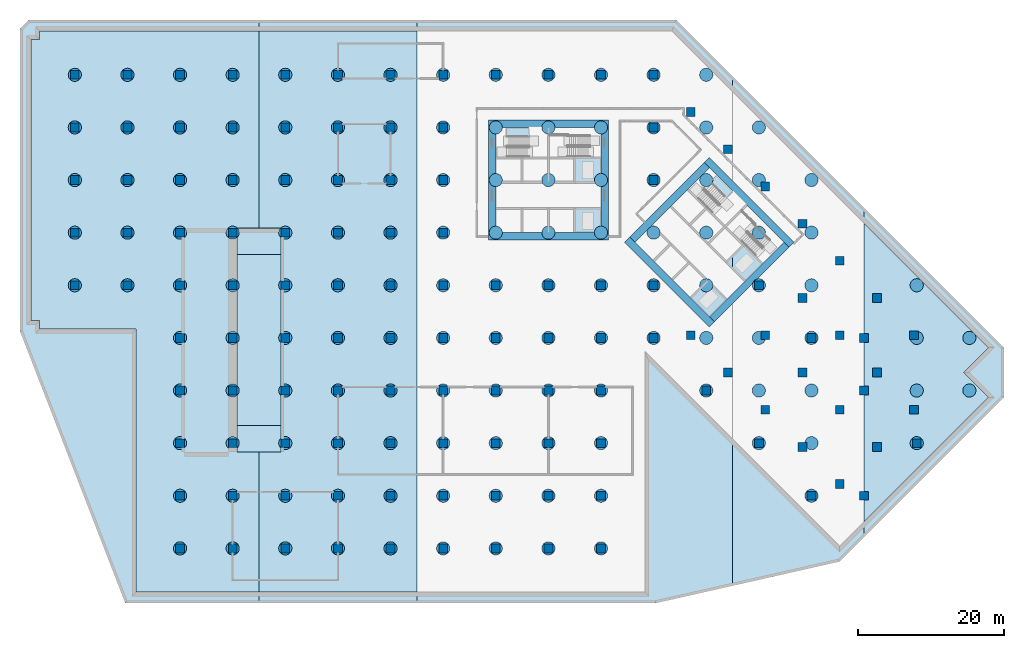
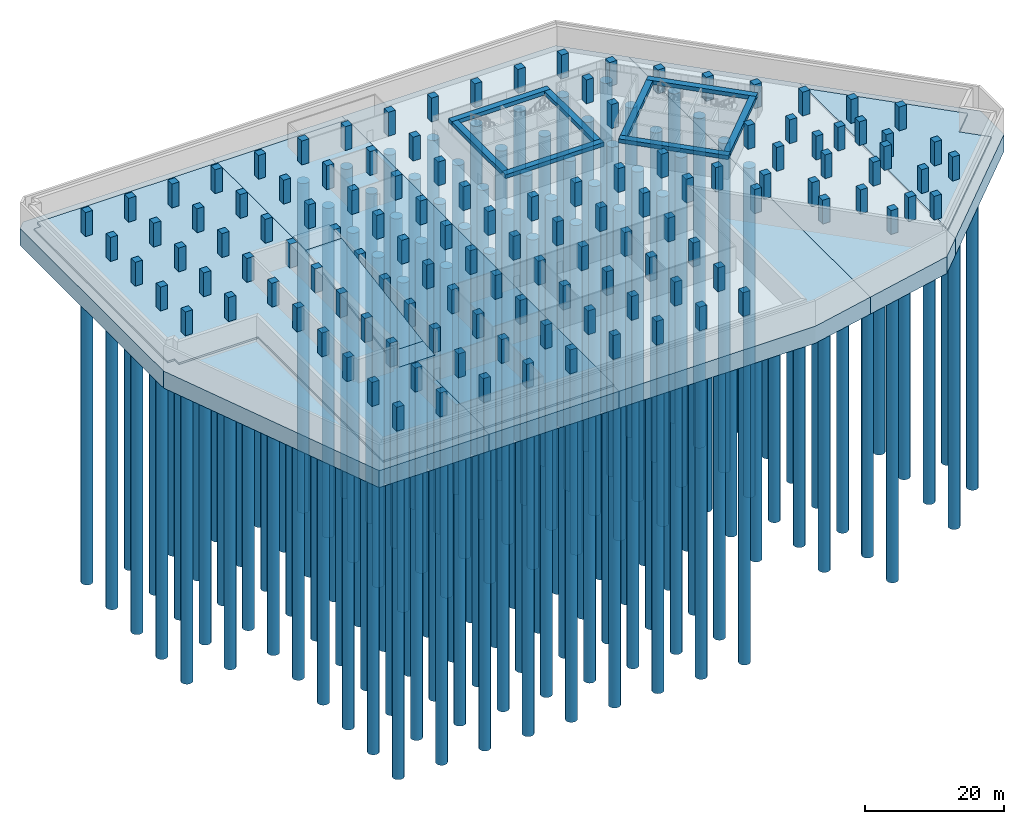
# One storey, part 1 of 12: 133 piles, 125 columns, 8 beams, 6 slabs, 5 footings.
"""IFC4 building model written with IfcOpenShell, lengths in metres."""

from ifc_helpers import new_model, si_unit, direction, frame, origin, origin_2d, place, context, subcontext, project, spatial, polyline, rectangle, circle, outline, extrude, material, layer, layer_set, material_profile, profile_set, type_object, element, save


model = new_model("IFC4")

# Units and contexts
model_context = context("Model", 3, precision=1e-05, world=origin(), true_north=direction((0.0, 1.0)))
body_context = subcontext(model_context, "Body", "Model", "MODEL_VIEW")
ifc_project = project(units=[si_unit("LENGTHUNIT", "METRE"), si_unit("AREAUNIT", "SQUARE_METRE"), si_unit("VOLUMEUNIT", "CUBIC_METRE"), si_unit("PLANEANGLEUNIT", "RADIAN"), si_unit("MASSUNIT", "GRAM", prefix="KILO")], contexts=[model_context])

# Site, building, storey
site_placement = place(None, origin())
site = spatial("IfcSite", under=ifc_project, at=site_placement, CompositionType="ELEMENT")
building_placement = place(site_placement, origin())
building = spatial("IfcBuilding", under=site, at=building_placement, Name="Windrow Commons", CompositionType="ELEMENT")
storey_placement = place(building_placement, frame((0.0, 0.0, -9.0)))
storey = spatial("IfcBuildingStorey", under=building, at=storey_placement, Name="B2", CompositionType="ELEMENT", Elevation=-9.0)

# Piles
ifc_material_1 = material(Name="Concrete C35/45", Category="concrete")
ifc_material_profile_1 = material_profile(ifc_material_1, circle(Radius=0.9, at=origin_2d()))
ifc_profile_set_1 = profile_set([ifc_material_profile_1], Name="Concrete C35/45")
pile_type = type_object("IfcPileType", Name="BORED PILE 1800 C35/45", PredefinedType="BORED", material=ifc_profile_set_1)
for number, where, z_axis, x_axis, name in (
    (1, (14.4, 7.2, -3.225), (0.0, 0.0, -1.0), (1.0, 0.0, 0.0), "P-001"),
    (2, (21.6, 7.2, -3.225), (0.0, 0.0, -1.0), (1.0, 0.0, 0.0), "P-002"),
    (3, (14.4, 14.4, -3.225), (0.0, 0.0, -1.0), (1.0, 0.0, 0.0), "P-003"),
    (4, (21.6, 14.4, -3.225), (0.0, 0.0, -1.0), (1.0, 0.0, 0.0), "P-004"),
    (5, (14.4, 21.6, -3.225), (0.0, 0.0, -1.0), (1.0, 0.0, 0.0), "P-005"),
    (6, (21.6, 21.6, -3.225), (0.0, 0.0, -1.0), (1.0, 0.0, 0.0), "P-006"),
    (7, (14.4, 28.8, -3.225), (0.0, 0.0, -1.0), (1.0, 0.0, 0.0), "P-007"),
    (8, (21.6, 28.8, -3.225), (0.0, 0.0, -1.0), (1.0, 0.0, 0.0), "P-008"),
    (9, (14.4, 36.0, -3.225), (0.0, 0.0, -1.0), (1.0, 0.0, 0.0), "P-009"),
    (10, (21.6, 36.0, -3.225), (0.0, 0.0, -1.0), (1.0, 0.0, 0.0), "P-010"),
    (11, (0.0, 43.2, -3.225), (0.0, 0.0, -1.0), (1.0, 0.0, 0.0), "P-011"),
    (12, (7.2, 43.2, -3.225), (0.0, 0.0, -1.0), (1.0, 0.0, 0.0), "P-012"),
    (13, (14.4, 43.2, -3.225), (0.0, 0.0, -1.0), (1.0, 0.0, 0.0), "P-013"),
    (14, (21.6, 43.2, -3.225), (0.0, 0.0, -1.0), (1.0, 0.0, 0.0), "P-014"),
    (15, (0.0, 50.4, -3.225), (0.0, 0.0, -1.0), (1.0, 0.0, 0.0), "P-015"),
    (16, (7.2, 50.4, -3.225), (0.0, 0.0, -1.0), (1.0, 0.0, 0.0), "P-016"),
    (17, (14.4, 50.4, -3.225), (0.0, 0.0, -1.0), (1.0, 0.0, 0.0), "P-017"),
    (18, (21.6, 50.4, -3.225), (0.0, 0.0, -1.0), (1.0, 0.0, 0.0), "P-018"),
    (19, (0.0, 57.6, -3.225), (0.0, 0.0, -1.0), (1.0, 0.0, 0.0), "P-019"),
    (20, (7.2, 57.6, -3.225), (0.0, 0.0, -1.0), (1.0, 0.0, 0.0), "P-020"),
    (21, (14.4, 57.6, -3.225), (0.0, 0.0, -1.0), (1.0, 0.0, 0.0), "P-021"),
    (22, (21.6, 57.6, -3.225), (0.0, 0.0, -1.0), (1.0, 0.0, 0.0), "P-022"),
    (23, (0.0, 64.8, -3.225), (0.0, 0.0, -1.0), (1.0, 0.0, 0.0), "P-023"),
    (24, (7.2, 64.8, -3.225), (0.0, 0.0, -1.0), (1.0, 0.0, 0.0), "P-024"),
    (25, (14.4, 64.8, -3.225), (0.0, 0.0, -1.0), (1.0, 0.0, 0.0), "P-025"),
    (26, (21.6, 64.8, -3.225), (0.0, 0.0, -1.0), (1.0, 0.0, 0.0), "P-026"),
    (27, (0.0, 72.0, -3.225), (0.0, 0.0, -1.0), (1.0, 0.0, 0.0), "P-027"),
    (28, (7.2, 72.0, -3.225), (0.0, 0.0, -1.0), (1.0, 0.0, 0.0), "P-028"),
    (29, (14.4, 72.0, -3.225), (0.0, 0.0, -1.0), (1.0, 0.0, 0.0), "P-029"),
    (30, (21.6, 72.0, -3.225), (0.0, 0.0, -1.0), (1.0, 0.0, 0.0), "P-030"),
    (31, (28.8, 7.2, -3.225), (0.0, 0.0, -1.0), (1.0, 0.0, 0.0), "P-031"),
    (32, (36.0, 7.2, -3.225), (0.0, 0.0, -1.0), (1.0, 0.0, 0.0), "P-032"),
    (33, (43.2, 7.2, -3.225), (0.0, 0.0, -1.0), (1.0, 0.0, 0.0), "P-033"),
    (34, (28.8, 14.4, -3.225), (0.0, 0.0, -1.0), (1.0, 0.0, 0.0), "P-034"),
    (35, (36.0, 14.4, -3.225), (0.0, 0.0, -1.0), (1.0, 0.0, 0.0), "P-035"),
    (36, (43.2, 14.4, -3.225), (0.0, 0.0, -1.0), (1.0, 0.0, 0.0), "P-036"),
    (37, (28.8, 21.6, -3.225), (0.0, 0.0, -1.0), (1.0, 0.0, 0.0), "P-037"),
    (38, (36.0, 21.6, -3.225), (0.0, 0.0, -1.0), (1.0, 0.0, 0.0), "P-038"),
    (39, (43.2, 21.6, -3.225), (0.0, 0.0, -1.0), (1.0, 0.0, 0.0), "P-039"),
    (40, (28.8, 28.8, -3.225), (0.0, 0.0, -1.0), (1.0, 0.0, 0.0), "P-040"),
    (41, (36.0, 28.8, -3.225), (0.0, 0.0, -1.0), (1.0, 0.0, 0.0), "P-041"),
    (42, (43.2, 28.8, -3.225), (0.0, 0.0, -1.0), (1.0, 0.0, 0.0), "P-042"),
    (43, (28.8, 36.0, -3.225), (0.0, 0.0, -1.0), (1.0, 0.0, 0.0), "P-043"),
    (44, (36.0, 36.0, -3.225), (0.0, 0.0, -1.0), (1.0, 0.0, 0.0), "P-044"),
    (45, (43.2, 36.0, -3.225), (0.0, 0.0, -1.0), (1.0, 0.0, 0.0), "P-045"),
    (46, (28.8, 43.2, -3.225), (0.0, 0.0, -1.0), (1.0, 0.0, 0.0), "P-046"),
    (47, (36.0, 43.2, -3.225), (0.0, 0.0, -1.0), (1.0, 0.0, 0.0), "P-047"),
    (48, (43.2, 43.2, -3.225), (0.0, 0.0, -1.0), (1.0, 0.0, 0.0), "P-048"),
    (49, (28.8, 50.4, -3.225), (0.0, 0.0, -1.0), (1.0, 0.0, 0.0), "P-049"),
    (50, (36.0, 50.4, -3.225), (0.0, 0.0, -1.0), (1.0, 0.0, 0.0), "P-050"),
    (51, (43.2, 50.4, -3.225), (0.0, 0.0, -1.0), (1.0, 0.0, 0.0), "P-051"),
    (52, (28.8, 57.6, -3.225), (0.0, 0.0, -1.0), (1.0, 0.0, 0.0), "P-052"),
    (53, (36.0, 57.6, -3.225), (0.0, 0.0, -1.0), (1.0, 0.0, 0.0), "P-053"),
    (54, (43.2, 57.6, -3.225), (0.0, 0.0, -1.0), (1.0, 0.0, 0.0), "P-054"),
    (55, (28.8, 64.8, -3.225), (0.0, 0.0, -1.0), (1.0, 0.0, 0.0), "P-055"),
    (56, (36.0, 64.8, -3.225), (0.0, 0.0, -1.0), (1.0, 0.0, 0.0), "P-056"),
    (57, (43.2, 64.8, -3.225), (0.0, 0.0, -1.0), (1.0, 0.0, 0.0), "P-057"),
    (58, (28.8, 72.0, -3.225), (0.0, 0.0, -1.0), (1.0, 0.0, 0.0), "P-058"),
    (59, (36.0, 72.0, -3.225), (0.0, 0.0, -1.0), (1.0, 0.0, 0.0), "P-059"),
    (60, (43.2, 72.0, -3.225), (0.0, 0.0, -1.0), (1.0, 0.0, 0.0), "P-060"),
    (61, (50.4, 7.2, -3.225), (0.0, 0.0, -1.0), (1.0, 0.0, 0.0), "P-061"),
    (62, (57.6, 7.2, -3.225), (0.0, 0.0, -1.0), (1.0, 0.0, 0.0), "P-062"),
    (63, (64.8, 7.2, -3.225), (0.0, 0.0, -1.0), (1.0, 0.0, 0.0), "P-063"),
    (64, (72.0, 7.2, -3.225), (0.0, 0.0, -1.0), (1.0, 0.0, 0.0), "P-064"),
    (65, (50.4, 14.4, -3.225), (0.0, 0.0, -1.0), (1.0, 0.0, 0.0), "P-065"),
    (66, (57.6, 14.4, -3.225), (0.0, 0.0, -1.0), (1.0, 0.0, 0.0), "P-066"),
    (67, (64.8, 14.4, -3.225), (0.0, 0.0, -1.0), (1.0, 0.0, 0.0), "P-067"),
    (68, (72.0, 14.4, -3.225), (0.0, 0.0, -1.0), (1.0, 0.0, 0.0), "P-068"),
    (69, (50.4, 21.6, -3.225), (0.0, 0.0, -1.0), (1.0, 0.0, 0.0), "P-069"),
    (70, (57.6, 21.6, -3.225), (0.0, 0.0, -1.0), (1.0, 0.0, 0.0), "P-070"),
    (71, (64.8, 21.6, -3.225), (0.0, 0.0, -1.0), (1.0, 0.0, 0.0), "P-071"),
    (72, (72.0, 21.6, -3.225), (0.0, 0.0, -1.0), (1.0, 0.0, 0.0), "P-072"),
    (73, (50.4, 28.8, -3.225), (0.0, 0.0, -1.0), (1.0, 0.0, 0.0), "P-073"),
    (74, (57.6, 28.8, -3.225), (0.0, 0.0, -1.0), (1.0, 0.0, 0.0), "P-074"),
    (75, (64.8, 28.8, -3.225), (0.0, 0.0, -1.0), (1.0, 0.0, 0.0), "P-075"),
    (76, (72.0, 28.8, -3.225), (0.0, 0.0, -1.0), (1.0, 0.0, 0.0), "P-076"),
    (77, (86.4, 28.8, -3.225), (0.0, 0.0, -1.0), (1.0, 0.0, 0.0), "P-077"),
    (78, (50.4, 36.0, -3.225), (0.0, 0.0, -1.0), (1.0, 0.0, 0.0), "P-078"),
    (79, (57.6, 36.0, -3.225), (0.0, 0.0, -1.0), (1.0, 0.0, 0.0), "P-079"),
    (80, (64.8, 36.0, -3.225), (0.0, 0.0, -1.0), (1.0, 0.0, 0.0), "P-080"),
    (81, (72.0, 36.0, -3.225), (0.0, 0.0, -1.0), (1.0, 0.0, 0.0), "P-081"),
    (82, (79.2, 36.0, -3.225), (0.0, 0.0, -1.0), (1.0, 0.0, 0.0), "P-082"),
    (83, (86.4, 36.0, -3.225), (0.0, 0.0, -1.0), (1.0, 0.0, 0.0), "P-083"),
    (84, (50.4, 43.2, -3.225), (0.0, 0.0, -1.0), (1.0, 0.0, 0.0), "P-084"),
    (85, (57.6, 43.2, -3.225), (0.0, 0.0, -1.0), (1.0, 0.0, 0.0), "P-085"),
    (86, (64.8, 43.2, -3.225), (0.0, 0.0, -1.0), (1.0, 0.0, 0.0), "P-086"),
    (87, (72.0, 43.2, -3.225), (0.0, 0.0, -1.0), (1.0, 0.0, 0.0), "P-087"),
    (88, (79.2, 43.2, -3.225), (0.0, 0.0, -1.0), (1.0, 0.0, 0.0), "P-088"),
    (89, (86.4, 43.2, -3.225), (0.0, 0.0, -1.0), (1.0, 0.0, 0.0), "P-089"),
    (90, (50.4, 50.4, -3.225), (0.0, 0.0, -1.0), (1.0, 0.0, 0.0), "P-090"),
    (91, (57.6, 50.4, -3.225), (0.0, 0.0, -1.0), (1.0, 0.0, 0.0), "P-091"),
    (92, (64.8, 50.4, -3.225), (0.0, 0.0, -1.0), (1.0, 0.0, 0.0), "P-092"),
    (93, (72.0, 50.4, -3.225), (0.0, 0.0, -1.0), (1.0, 0.0, 0.0), "P-093"),
    (94, (79.2, 50.4, -3.225), (0.0, 0.0, -1.0), (1.0, 0.0, 0.0), "P-094"),
    (95, (86.4, 50.4, -3.225), (0.0, 0.0, -1.0), (1.0, 0.0, 0.0), "P-095"),
    (96, (50.4, 57.6, -3.225), (0.0, 0.0, -1.0), (1.0, 0.0, 0.0), "P-096"),
    (97, (57.6, 57.6, -3.225), (0.0, 0.0, -1.0), (1.0, 0.0, 0.0), "P-097"),
    (98, (64.8, 57.6, -3.225), (0.0, 0.0, -1.0), (1.0, 0.0, 0.0), "P-098"),
    (99, (72.0, 57.6, -3.225), (0.0, 0.0, -1.0), (1.0, 0.0, 0.0), "P-099"),
    (100, (79.2, 57.6, -3.225), (0.0, 0.0, -1.0), (1.0, 0.0, 0.0), "P-100"),
    (101, (86.4, 57.6, -3.225), (0.0, 0.0, -1.0), (1.0, 0.0, 0.0), "P-101"),
    (102, (50.4, 64.8, -3.225), (0.0, 0.0, -1.0), (1.0, 0.0, 0.0), "P-102"),
    (103, (57.6, 64.8, -3.225), (0.0, 0.0, -1.0), (1.0, 0.0, 0.0), "P-103"),
    (104, (64.8, 64.8, -3.225), (0.0, 0.0, -1.0), (1.0, 0.0, 0.0), "P-104"),
    (105, (72.0, 64.8, -3.225), (0.0, 0.0, -1.0), (1.0, 0.0, 0.0), "P-105"),
    (106, (79.2, 64.8, -3.225), (0.0, 0.0, -1.0), (1.0, 0.0, 0.0), "P-106"),
    (107, (86.4, 64.8, -3.225), (0.0, 0.0, -1.0), (1.0, 0.0, 0.0), "P-107"),
    (108, (50.4, 72.0, -3.225), (0.0, 0.0, -1.0), (1.0, 0.0, 0.0), "P-108"),
    (109, (57.6, 72.0, -3.225), (0.0, 0.0, -1.0), (1.0, 0.0, 0.0), "P-109"),
    (110, (64.8, 72.0, -3.225), (0.0, 0.0, -1.0), (1.0, 0.0, 0.0), "P-110"),
    (111, (72.0, 72.0, -3.225), (0.0, 0.0, -1.0), (1.0, 0.0, 0.0), "P-111"),
    (112, (79.2, 72.0, -3.225), (0.0, 0.0, -1.0), (1.0, 0.0, 0.0), "P-112"),
    (113, (86.4, 72.0, -3.225), (0.0, 0.0, -1.0), (1.0, 0.0, 0.0), "P-113"),
    (114, (100.8, 14.4, -3.225), (0.0, 0.0, -1.0), (1.0, 0.0, 0.0), "P-114"),
    (115, (93.6, 21.6, -3.225), (0.0, 0.0, -1.0), (1.0, 0.0, 0.0), "P-115"),
    (116, (100.8, 21.6, -3.225), (0.0, 0.0, -1.0), (1.0, 0.0, 0.0), "P-116"),
    (117, (93.6, 28.8, -3.225), (0.0, 0.0, -1.0), (1.0, 0.0, 0.0), "P-117"),
    (118, (100.8, 28.8, -3.225), (0.0, 0.0, -1.0), (1.0, 0.0, 0.0), "P-118"),
    (119, (93.6, 36.0, -3.225), (0.0, 0.0, -1.0), (1.0, 0.0, 0.0), "P-119"),
    (120, (100.8, 36.0, -3.225), (0.0, 0.0, -1.0), (1.0, 0.0, 0.0), "P-120"),
    (121, (93.6, 43.2, -3.225), (0.0, 0.0, -1.0), (1.0, 0.0, 0.0), "P-121"),
    (122, (100.8, 43.2, -3.225), (0.0, 0.0, -1.0), (1.0, 0.0, 0.0), "P-122"),
    (123, (93.6, 50.4, -3.225), (0.0, 0.0, -1.0), (1.0, 0.0, 0.0), "P-123"),
    (124, (100.8, 50.4, -3.225), (0.0, 0.0, -1.0), (1.0, 0.0, 0.0), "P-124"),
    (125, (93.6, 57.6, -3.225), (0.0, 0.0, -1.0), (1.0, 0.0, 0.0), "P-125"),
    (126, (100.8, 57.6, -3.225), (0.0, 0.0, -1.0), (1.0, 0.0, 0.0), "P-126"),
    (127, (93.6, 64.8, -3.225), (0.0, 0.0, -1.0), (1.0, 0.0, 0.0), "P-127"),
    (128, (115.2, 21.6, -3.225), (0.0, 0.0, -1.0), (1.0, 0.0, 0.0), "P-128"),
    (129, (115.2, 28.8, -3.225), (0.0, 0.0, -1.0), (1.0, 0.0, 0.0), "P-129"),
    (130, (122.4, 28.8, -3.225), (0.0, 0.0, -1.0), (1.0, 0.0, 0.0), "P-130"),
    (131, (115.2, 36.0, -3.225), (0.0, 0.0, -1.0), (1.0, 0.0, 0.0), "P-131"),
    (132, (122.4, 36.0, -3.225), (0.0, 0.0, -1.0), (1.0, 0.0, 0.0), "P-132"),
    (133, (115.2, 43.2, -3.225), (0.0, 0.0, -1.0), (1.0, 0.0, 0.0), "P-133"),
):
    element("IfcPile", number, at=place(storey_placement, frame(where, z_axis=z_axis, x_axis=x_axis)), inside=storey, type_object=pile_type, Name=name, PredefinedType="BORED", context=body_context, shape_type="SweptSolid", body=[
        extrude(circle(Radius=0.9, at=origin_2d()), origin(), (0.0, 0.0, 1.0), 58.0),
    ])

# Footings
ifc_material_2 = material(Name="Concrete C40/50", Category="concrete")
ifc_layer_1 = layer(ifc_material_2, 3.0)
ifc_layer_set_1 = layer_set([ifc_layer_1], Name="RC PILED RAFT 3000 C40/50")
footing_type = type_object("IfcFootingType", Name="RC PILED RAFT 3000 C40/50", PredefinedType="PILE_CAP", material=ifc_layer_set_1)
placement_1 = place(storey_placement, frame((0.0, 0.0, -3.3)))
element("IfcFooting", 134, at=placement_1, inside=storey, type_object=footing_type, Name="Piled raft pour 1", PredefinedType="PILE_CAP", context=body_context, shape_type="SweptSolid", body=[
    extrude(outline(polyline([(6.9, -0.3), (-7.5, 36.9), (-7.5, 78.3), (-6.3, 79.5), (25.2, 79.5), (25.2, -0.3), (6.9, -0.3)])), origin(), (0.0, 0.0, 1.0), 3.0),
])
element("IfcFooting", 135, at=placement_1, inside=storey, type_object=footing_type, Name="Piled raft pour 2", PredefinedType="PILE_CAP", context=body_context, shape_type="SweptSolid", body=[
    extrude(outline(polyline([(46.8, 79.5), (46.8, -0.3), (25.2, -0.3), (25.2, 79.5), (46.8, 79.5)])), origin(), (0.0, 0.0, 1.0), 3.0),
])
element("IfcFooting", 136, at=placement_1, inside=storey, type_object=footing_type, Name="Piled raft pour 3", PredefinedType="PILE_CAP", context=body_context, shape_type="SweptSolid", body=[
    extrude(outline(polyline([(79.5, -0.3), (46.8, -0.3), (46.8, 79.5), (82.3066, 79.5), (90.0, 71.8066), (90.0, 2.0752), (79.5, -0.3)])), origin(), (0.0, 0.0, 1.0), 3.0),
])
element("IfcFooting", 137, at=placement_1, inside=storey, type_object=footing_type, Name="Piled raft pour 4", PredefinedType="PILE_CAP", context=body_context, shape_type="SweptSolid", body=[
    extrude(outline(polyline([(104.6558, 5.3905), (90.0, 2.0752), (90.0, 71.8066), (108.0, 53.8066), (108.0, 8.7347), (104.6558, 5.3905)])), origin(), (0.0, 0.0, 1.0), 3.0),
])
element("IfcFooting", 138, at=placement_1, inside=storey, type_object=footing_type, Name="Piled raft pour 5", PredefinedType="PILE_CAP", context=body_context, shape_type="SweptSolid", body=[
    extrude(outline(polyline([(127.1418, 34.6648), (127.1418, 27.8765), (108.0, 8.7347), (108.0, 53.8066), (127.1418, 34.6648)])), origin(), (0.0, 0.0, 1.0), 3.0),
])

# Columns
ifc_material_3 = material(Name="Concrete C60/75", Category="concrete")
ifc_material_profile_2 = material_profile(ifc_material_3, rectangle(XDim=1.2, YDim=1.2, at=origin_2d()))
ifc_profile_set_2 = profile_set([ifc_material_profile_2], Name="Concrete C60/75")
column_type = type_object("IfcColumnType", Name="RC COLUMN 1200x1200 C60/75", PredefinedType="COLUMN", material=ifc_profile_set_2)
for number, where, z_axis, x_axis, name in (
    (139, (0.0, 50.4, 0.0), (0.0, 0.0, 1.0), (1.0, 0.0, 0.0), "C-B-01G"),
    (140, (0.0, 57.6, 0.0), (0.0, 0.0, 1.0), (1.0, 0.0, 0.0), "C-B-01H"),
    (141, (0.0, 64.8, 0.0), (0.0, 0.0, 1.0), (1.0, 0.0, 0.0), "C-B-01I"),
    (142, (7.2, 43.2, 0.0), (0.0, 0.0, 1.0), (1.0, 0.0, 0.0), "C-B-02F"),
    (143, (7.2, 50.4, 0.0), (0.0, 0.0, 1.0), (1.0, 0.0, 0.0), "C-B-02G"),
    (144, (7.2, 57.6, 0.0), (0.0, 0.0, 1.0), (1.0, 0.0, 0.0), "C-B-02H"),
    (145, (7.2, 64.8, 0.0), (0.0, 0.0, 1.0), (1.0, 0.0, 0.0), "C-B-02I"),
    (146, (7.2, 72.0, 0.0), (0.0, 0.0, 1.0), (1.0, 0.0, 0.0), "C-B-02J"),
    (147, (14.4, 7.2, 0.0), (0.0, 0.0, 1.0), (1.0, 0.0, 0.0), "C-B-03A"),
    (148, (14.4, 14.4, 0.0), (0.0, 0.0, 1.0), (1.0, 0.0, 0.0), "C-B-03B"),
    (149, (14.4, 21.6, 0.0), (0.0, 0.0, 1.0), (1.0, 0.0, 0.0), "C-B-03C"),
    (150, (14.4, 28.8, 0.0), (0.0, 0.0, 1.0), (1.0, 0.0, 0.0), "C-B-03D"),
    (151, (14.4, 36.0, 0.0), (0.0, 0.0, 1.0), (1.0, 0.0, 0.0), "C-B-03E"),
    (152, (14.4, 43.2, 0.0), (0.0, 0.0, 1.0), (1.0, 0.0, 0.0), "C-B-03F"),
    (153, (14.4, 50.4, 0.0), (0.0, 0.0, 1.0), (1.0, 0.0, 0.0), "C-B-03G"),
    (154, (14.4, 57.6, 0.0), (0.0, 0.0, 1.0), (1.0, 0.0, 0.0), "C-B-03H"),
    (155, (14.4, 64.8, 0.0), (0.0, 0.0, 1.0), (1.0, 0.0, 0.0), "C-B-03I"),
    (156, (14.4, 72.0, 0.0), (0.0, 0.0, 1.0), (1.0, 0.0, 0.0), "C-B-03J"),
    (157, (21.6, 7.2, 0.0), (0.0, 0.0, 1.0), (1.0, 0.0, 0.0), "C-B-04A"),
    (158, (21.6, 14.4, 0.0), (0.0, 0.0, 1.0), (1.0, 0.0, 0.0), "C-B-04B"),
    (159, (21.6, 21.6, 0.0), (0.0, 0.0, 1.0), (1.0, 0.0, 0.0), "C-B-04C"),
    (160, (21.6, 28.8, 0.0), (0.0, 0.0, 1.0), (1.0, 0.0, 0.0), "C-B-04D"),
    (161, (21.6, 36.0, 0.0), (0.0, 0.0, 1.0), (1.0, 0.0, 0.0), "C-B-04E"),
    (162, (21.6, 43.2, 0.0), (0.0, 0.0, 1.0), (1.0, 0.0, 0.0), "C-B-04F"),
    (163, (21.6, 50.4, 0.0), (0.0, 0.0, 1.0), (1.0, 0.0, 0.0), "C-B-04G"),
    (164, (21.6, 57.6, 0.0), (0.0, 0.0, 1.0), (1.0, 0.0, 0.0), "C-B-04H"),
    (165, (21.6, 64.8, 0.0), (0.0, 0.0, 1.0), (1.0, 0.0, 0.0), "C-B-04I"),
    (166, (21.6, 72.0, 0.0), (0.0, 0.0, 1.0), (1.0, 0.0, 0.0), "C-B-04J"),
    (167, (28.8, 7.2, 0.0), (0.0, 0.0, 1.0), (1.0, 0.0, 0.0), "C-B-05A"),
    (168, (28.8, 14.4, 0.0), (0.0, 0.0, 1.0), (1.0, 0.0, 0.0), "C-B-05B"),
    (169, (28.8, 21.6, 0.0), (0.0, 0.0, 1.0), (1.0, 0.0, 0.0), "C-B-05C"),
    (170, (28.8, 28.8, 0.0), (0.0, 0.0, 1.0), (1.0, 0.0, 0.0), "C-B-05D"),
    (171, (28.8, 36.0, 0.0), (0.0, 0.0, 1.0), (1.0, 0.0, 0.0), "C-B-05E"),
    (172, (28.8, 43.2, 0.0), (0.0, 0.0, 1.0), (1.0, 0.0, 0.0), "C-B-05F"),
    (173, (28.8, 50.4, 0.0), (0.0, 0.0, 1.0), (1.0, 0.0, 0.0), "C-B-05G"),
    (174, (28.8, 57.6, 0.0), (0.0, 0.0, 1.0), (1.0, 0.0, 0.0), "C-B-05H"),
    (175, (28.8, 64.8, 0.0), (0.0, 0.0, 1.0), (1.0, 0.0, 0.0), "C-B-05I"),
    (176, (28.8, 72.0, 0.0), (0.0, 0.0, 1.0), (1.0, 0.0, 0.0), "C-B-05J"),
    (177, (36.0, 7.2, 0.0), (0.0, 0.0, 1.0), (1.0, 0.0, 0.0), "C-B-06A"),
    (178, (36.0, 14.4, 0.0), (0.0, 0.0, 1.0), (1.0, 0.0, 0.0), "C-B-06B"),
    (179, (36.0, 21.6, 0.0), (0.0, 0.0, 1.0), (1.0, 0.0, 0.0), "C-B-06C"),
    (180, (36.0, 28.8, 0.0), (0.0, 0.0, 1.0), (1.0, 0.0, 0.0), "C-B-06D"),
    (181, (36.0, 36.0, 0.0), (0.0, 0.0, 1.0), (1.0, 0.0, 0.0), "C-B-06E"),
    (182, (36.0, 43.2, 0.0), (0.0, 0.0, 1.0), (1.0, 0.0, 0.0), "C-B-06F"),
    (183, (36.0, 50.4, 0.0), (0.0, 0.0, 1.0), (1.0, 0.0, 0.0), "C-B-06G"),
    (184, (36.0, 57.6, 0.0), (0.0, 0.0, 1.0), (1.0, 0.0, 0.0), "C-B-06H"),
    (185, (36.0, 64.8, 0.0), (0.0, 0.0, 1.0), (1.0, 0.0, 0.0), "C-B-06I"),
    (186, (36.0, 72.0, 0.0), (0.0, 0.0, 1.0), (1.0, 0.0, 0.0), "C-B-06J"),
    (187, (43.2, 7.2, 0.0), (0.0, 0.0, 1.0), (1.0, 0.0, 0.0), "C-B-07A"),
    (188, (43.2, 14.4, 0.0), (0.0, 0.0, 1.0), (1.0, 0.0, 0.0), "C-B-07B"),
    (189, (43.2, 21.6, 0.0), (0.0, 0.0, 1.0), (1.0, 0.0, 0.0), "C-B-07C"),
    (190, (43.2, 28.8, 0.0), (0.0, 0.0, 1.0), (1.0, 0.0, 0.0), "C-B-07D"),
    (191, (43.2, 36.0, 0.0), (0.0, 0.0, 1.0), (1.0, 0.0, 0.0), "C-B-07E"),
    (192, (43.2, 43.2, 0.0), (0.0, 0.0, 1.0), (1.0, 0.0, 0.0), "C-B-07F"),
    (193, (43.2, 50.4, 0.0), (0.0, 0.0, 1.0), (1.0, 0.0, 0.0), "C-B-07G"),
    (194, (43.2, 57.6, 0.0), (0.0, 0.0, 1.0), (1.0, 0.0, 0.0), "C-B-07H"),
    (195, (43.2, 64.8, 0.0), (0.0, 0.0, 1.0), (1.0, 0.0, 0.0), "C-B-07I"),
    (196, (43.2, 72.0, 0.0), (0.0, 0.0, 1.0), (1.0, 0.0, 0.0), "C-B-07J"),
    (197, (50.4, 7.2, 0.0), (0.0, 0.0, 1.0), (1.0, 0.0, 0.0), "C-B-08A"),
    (198, (50.4, 14.4, 0.0), (0.0, 0.0, 1.0), (1.0, 0.0, 0.0), "C-B-08B"),
    (199, (50.4, 21.6, 0.0), (0.0, 0.0, 1.0), (1.0, 0.0, 0.0), "C-B-08C"),
    (200, (50.4, 28.8, 0.0), (0.0, 0.0, 1.0), (1.0, 0.0, 0.0), "C-B-08D"),
    (201, (50.4, 36.0, 0.0), (0.0, 0.0, 1.0), (1.0, 0.0, 0.0), "C-B-08E"),
    (202, (50.4, 43.2, 0.0), (0.0, 0.0, 1.0), (1.0, 0.0, 0.0), "C-B-08F"),
    (203, (50.4, 50.4, 0.0), (0.0, 0.0, 1.0), (1.0, 0.0, 0.0), "C-B-08G"),
    (204, (50.4, 57.6, 0.0), (0.0, 0.0, 1.0), (1.0, 0.0, 0.0), "C-B-08H"),
    (205, (50.4, 64.8, 0.0), (0.0, 0.0, 1.0), (1.0, 0.0, 0.0), "C-B-08I"),
    (206, (50.4, 72.0, 0.0), (0.0, 0.0, 1.0), (1.0, 0.0, 0.0), "C-B-08J"),
    (207, (57.6, 7.2, 0.0), (0.0, 0.0, 1.0), (1.0, 0.0, 0.0), "C-B-09A"),
    (208, (57.6, 14.4, 0.0), (0.0, 0.0, 1.0), (1.0, 0.0, 0.0), "C-B-09B"),
    (209, (57.6, 21.6, 0.0), (0.0, 0.0, 1.0), (1.0, 0.0, 0.0), "C-B-09C"),
    (210, (57.6, 28.8, 0.0), (0.0, 0.0, 1.0), (1.0, 0.0, 0.0), "C-B-09D"),
    (211, (57.6, 36.0, 0.0), (0.0, 0.0, 1.0), (1.0, 0.0, 0.0), "C-B-09E"),
    (212, (57.6, 43.2, 0.0), (0.0, 0.0, 1.0), (1.0, 0.0, 0.0), "C-B-09F"),
    (213, (57.6, 72.0, 0.0), (0.0, 0.0, 1.0), (1.0, 0.0, 0.0), "C-B-09J"),
    (214, (64.8, 7.2, 0.0), (0.0, 0.0, 1.0), (1.0, 0.0, 0.0), "C-B-10A"),
    (215, (64.8, 14.4, 0.0), (0.0, 0.0, 1.0), (1.0, 0.0, 0.0), "C-B-10B"),
    (216, (64.8, 21.6, 0.0), (0.0, 0.0, 1.0), (1.0, 0.0, 0.0), "C-B-10C"),
    (217, (64.8, 28.8, 0.0), (0.0, 0.0, 1.0), (1.0, 0.0, 0.0), "C-B-10D"),
    (218, (64.8, 36.0, 0.0), (0.0, 0.0, 1.0), (1.0, 0.0, 0.0), "C-B-10E"),
    (219, (64.8, 43.2, 0.0), (0.0, 0.0, 1.0), (1.0, 0.0, 0.0), "C-B-10F"),
    (220, (64.8, 72.0, 0.0), (0.0, 0.0, 1.0), (1.0, 0.0, 0.0), "C-B-10J"),
    (221, (72.0, 7.2, 0.0), (0.0, 0.0, 1.0), (1.0, 0.0, 0.0), "C-B-11A"),
    (222, (72.0, 14.4, 0.0), (0.0, 0.0, 1.0), (1.0, 0.0, 0.0), "C-B-11B"),
    (223, (72.0, 21.6, 0.0), (0.0, 0.0, 1.0), (1.0, 0.0, 0.0), "C-B-11C"),
    (224, (72.0, 28.8, 0.0), (0.0, 0.0, 1.0), (1.0, 0.0, 0.0), "C-B-11D"),
    (225, (72.0, 36.0, 0.0), (0.0, 0.0, 1.0), (1.0, 0.0, 0.0), "C-B-11E"),
    (226, (72.0, 43.2, 0.0), (0.0, 0.0, 1.0), (1.0, 0.0, 0.0), "C-B-11F"),
    (227, (72.0, 72.0, 0.0), (0.0, 0.0, 1.0), (1.0, 0.0, 0.0), "C-B-11J"),
    (228, (79.2, 43.2, 0.0), (0.0, 0.0, 1.0), (1.0, 0.0, 0.0), "C-B-12F"),
    (229, (79.2, 57.6, 0.0), (0.0, 0.0, 1.0), (1.0, 0.0, 0.0), "C-B-12H"),
    (230, (79.2, 64.8, 0.0), (0.0, 0.0, 1.0), (1.0, 0.0, 0.0), "C-B-12I"),
    (231, (79.2, 72.0, 0.0), (0.0, 0.0, 1.0), (1.0, 0.0, 0.0), "C-B-12J"),
    (232, (84.2912, 66.9088, 0.0), (0.0, 0.0, 1.0), (1.0, 0.0, 0.0), "C-B-P2Q"),
    (233, (89.3823, 61.8177, 0.0), (0.0, 0.0, 1.0), (1.0, 0.0, 0.0), "C-B-P3Q"),
    (234, (94.4735, 56.7265, 0.0), (0.0, 0.0, 1.0), (1.0, 0.0, 0.0), "C-B-P4Q"),
    (235, (99.5647, 51.6353, 0.0), (0.0, 0.0, 1.0), (1.0, 0.0, 0.0), "C-B-P5Q"),
    (236, (84.2912, 36.3618, 0.0), (0.0, 0.0, 1.0), (1.0, 0.0, 0.0), "C-B-P5T"),
    (237, (104.6558, 46.5442, 0.0), (0.0, 0.0, 1.0), (1.0, 0.0, 0.0), "C-B-P6Q"),
    (238, (99.5647, 41.453, 0.0), (0.0, 0.0, 1.0), (1.0, 0.0, 0.0), "C-B-P6R"),
    (239, (94.4735, 36.3618, 0.0), (0.0, 0.0, 1.0), (1.0, 0.0, 0.0), "C-B-P6S"),
    (240, (89.3823, 31.2706, 0.0), (0.0, 0.0, 1.0), (1.0, 0.0, 0.0), "C-B-P6T"),
    (241, (109.747, 41.453, 0.0), (0.0, 0.0, 1.0), (1.0, 0.0, 0.0), "C-B-P7Q"),
    (242, (104.6558, 36.3618, 0.0), (0.0, 0.0, 1.0), (1.0, 0.0, 0.0), "C-B-P7R"),
    (243, (99.5647, 31.2706, 0.0), (0.0, 0.0, 1.0), (1.0, 0.0, 0.0), "C-B-P7S"),
    (244, (94.4735, 26.1795, 0.0), (0.0, 0.0, 1.0), (1.0, 0.0, 0.0), "C-B-P7T"),
    (245, (114.8382, 36.3618, 0.0), (0.0, 0.0, 1.0), (1.0, 0.0, 0.0), "C-B-P8Q"),
    (246, (109.747, 31.2706, 0.0), (0.0, 0.0, 1.0), (1.0, 0.0, 0.0), "C-B-P8R"),
    (247, (104.6558, 26.1795, 0.0), (0.0, 0.0, 1.0), (1.0, 0.0, 0.0), "C-B-P8S"),
    (248, (99.5647, 21.0883, 0.0), (0.0, 0.0, 1.0), (1.0, 0.0, 0.0), "C-B-P8T"),
    (249, (114.8382, 26.1795, 0.0), (0.0, 0.0, 1.0), (1.0, 0.0, 0.0), "C-B-P9R"),
    (250, (109.747, 21.0883, 0.0), (0.0, 0.0, 1.0), (1.0, 0.0, 0.0), "C-B-P9S"),
    (251, (104.6558, 15.9971, 0.0), (0.0, 0.0, 1.0), (1.0, 0.0, 0.0), "C-B-P9T"),
    (252, (0.0, 43.2, 0.0), (0.0, 0.0, 1.0), (1.0, 0.0, 0.0), "C-B-01F"),
    (253, (0.0, 72.0, 0.0), (0.0, 0.0, 1.0), (1.0, 0.0, 0.0), "C-B-01J"),
    (254, (79.2, 36.0, 0.0), (0.0, 0.0, 1.0), (1.0, 0.0, 0.0), "C-B-12E"),
    (255, (86.4, 28.8, 0.0), (0.0, 0.0, 1.0), (1.0, 0.0, 0.0), "C-B-13D"),
    (256, (93.6, 21.6, 0.0), (0.0, 0.0, 1.0), (1.0, 0.0, 0.0), "C-B-14C"),
    (257, (93.6, 43.2, 0.0), (0.0, 0.0, 1.0), (1.0, 0.0, 0.0), "C-B-14F"),
    (258, (100.8, 14.4, 0.0), (0.0, 0.0, 1.0), (1.0, 0.0, 0.0), "C-B-15B"),
    (259, (100.8, 36.0, 0.0), (0.0, 0.0, 1.0), (1.0, 0.0, 0.0), "C-B-15E"),
    (260, (108.0, 14.4, 0.0), (0.0, 0.0, 1.0), (1.0, 0.0, 0.0), "C-B-16B"),
    (261, (108.0, 28.8, 0.0), (0.0, 0.0, 1.0), (1.0, 0.0, 0.0), "C-B-16D"),
    (262, (108.0, 36.0, 0.0), (0.0, 0.0, 1.0), (1.0, 0.0, 0.0), "C-B-16E"),
    (263, (115.2, 21.6, 0.0), (0.0, 0.0, 1.0), (1.0, 0.0, 0.0), "C-B-17C"),
):
    element("IfcColumn", number, at=place(storey_placement, frame(where, z_axis=z_axis, x_axis=x_axis)), inside=storey, type_object=column_type, Name=name, PredefinedType="COLUMN", context=body_context, shape_type="SweptSolid", body=[
        extrude(rectangle(XDim=1.2, YDim=1.2, at=origin_2d()), origin(), (0.0, 0.0, 1.0), 4.2),
    ])

# Beams
ifc_material_4 = material(Name="Concrete C60/75", Category="concrete")
ifc_material_profile_3 = material_profile(ifc_material_4, rectangle(XDim=1.0, YDim=0.7, at=origin_2d()))
ifc_profile_set_3 = profile_set([ifc_material_profile_3], Name="Concrete C60/75")
beam_type = type_object("IfcBeamType", Name="RC COUPLING BEAM 1000x700 C60/75", PredefinedType="LINTEL", material=ifc_profile_set_3)
for number, where, z_axis, x_axis, name in (
    (264, (56.6, 49.9, 3.85), (1.0, 0.0, 0.0), (0.0, 1.0, 0.0), "Core A coupling beam outer-S"),
    (265, (56.6, 65.3, 3.85), (1.0, 0.0, 0.0), (0.0, 1.0, 0.0), "Core A coupling beam outer-N"),
):
    element("IfcBeam", number, at=place(storey_placement, frame(where, z_axis=z_axis, x_axis=x_axis)), inside=storey, type_object=beam_type, Name=name, PredefinedType="LINTEL", context=body_context, shape_type="SweptSolid", body=[
        extrude(rectangle(XDim=1.0, YDim=0.7, at=origin_2d()), origin(), (0.0, 0.0, 1.0), 16.4),
    ])
for number, where, z_axis, x_axis, name in (
    (266, (57.1, 50.4, 3.85), (0.0, 1.0, 0.0), (-1.0, 0.0, 0.0), "Core A coupling beam outer-W"),
    (267, (72.5, 50.4, 3.85), (0.0, 1.0, 0.0), (-1.0, 0.0, 0.0), "Core A coupling beam outer-E"),
):
    element("IfcBeam", number, at=place(storey_placement, frame(where, z_axis=z_axis, x_axis=x_axis)), inside=storey, type_object=beam_type, Name=name, PredefinedType="LINTEL", context=body_context, shape_type="SweptSolid", body=[
        extrude(rectangle(XDim=1.0, YDim=0.7, at=origin_2d()), origin(), (0.0, 0.0, 1.0), 14.4),
    ])
for number, where, z_axis, x_axis, name in (
    (268, (75.5938, 49.4433, 3.85), (0.7071037324, -0.70710983, 0.0), (0.70710983, 0.7071037324, 0.0), "Core B coupling beam outer-S"),
    (269, (86.4832, 60.3327, 3.85), (0.70710983, -0.7071037324, 0.0), (0.7071037324, 0.70710983, 0.0), "Core B coupling beam outer-N"),
):
    element("IfcBeam", number, at=place(storey_placement, frame(where, z_axis=z_axis, x_axis=x_axis)), inside=storey, type_object=beam_type, Name=name, PredefinedType="LINTEL", context=body_context, shape_type="SweptSolid", body=[
        extrude(rectangle(XDim=1.0, YDim=0.7, at=origin_2d()), origin(), (0.0, 0.0, 1.0), 16.4),
    ])
beam_1_placement = place(storey_placement, frame((76.3009, 49.4433, 3.85), z_axis=(0.7071067812, 0.7071067812, 0.0), x_axis=(-0.7071067812, 0.7071067812, 0.0)))
element("IfcBeam", 270, at=beam_1_placement, inside=storey, type_object=beam_type, Name="Core B coupling beam outer-W", PredefinedType="LINTEL", context=body_context, shape_type="SweptSolid", body=[
    extrude(rectangle(XDim=1.0, YDim=0.7, at=origin_2d()), origin(), (0.0, 0.0, 1.0), 14.3999),
])
beam_2_placement = place(storey_placement, frame((87.1903, 38.5538, 3.85), z_axis=(0.707103309, 0.7071102534, 0.0), x_axis=(-0.7071102534, 0.707103309, 0.0)))
element("IfcBeam", 271, at=beam_2_placement, inside=storey, type_object=beam_type, Name="Core B coupling beam outer-E", PredefinedType="LINTEL", context=body_context, shape_type="SweptSolid", body=[
    extrude(rectangle(XDim=1.0, YDim=0.7, at=origin_2d()), origin(), (0.0, 0.0, 1.0), 14.4),
])

# Slabs
ifc_material_5 = material(Name="Concrete C40/50", Category="concrete")
ifc_layer_2 = layer(ifc_material_5, 0.3)
ifc_layer_set_2 = layer_set([ifc_layer_2], Name="BASE SLAB 300 C40/50")
slab_type_1 = type_object("IfcSlabType", Name="BASE SLAB 300 C40/50", PredefinedType="BASESLAB", material=ifc_layer_set_2)
placement_2 = place(storey_placement, frame((0.0, 0.0, -0.3)))
element("IfcSlab", 272, at=placement_2, inside=storey, type_object=slab_type_1, Name="S-B2-base-1", PredefinedType="BASESLAB", context=body_context, shape_type="SweptSolid", body=[
    extrude(outline(polyline([(-6.0, 76.8), (-6.0, 38.4), (-4.8, 38.4), (-4.8, 37.2), (8.4, 37.2), (8.4, 1.2), (25.2, 1.2), (25.2, 20.4), (22.2, 20.4), (22.2, 24.0), (25.2, 24.0), (25.2, 78.0), (-4.8, 78.0), (-4.8, 76.8), (-6.0, 76.8)])), origin(), (0.0, 0.0, 1.0), 0.3),
])
element("IfcSlab", 273, at=placement_2, inside=storey, type_object=slab_type_1, Name="S-B2-base-2", PredefinedType="BASESLAB", context=body_context, shape_type="SweptSolid", body=[
    extrude(outline(polyline([(46.8, 78.0), (25.2, 78.0), (25.2, 24.0), (28.2, 24.0), (28.2, 20.4), (25.2, 20.4), (25.2, 1.2), (46.8, 1.2), (46.8, 78.0)])), origin(), (0.0, 0.0, 1.0), 0.3),
])
element("IfcSlab", 274, at=placement_2, inside=storey, type_object=slab_type_1, Name="S-B2-base-5", PredefinedType="BASESLAB", context=body_context, shape_type="SweptSolid", body=[
    extrude(outline(polyline([(125.0205, 34.6648), (108.0, 51.6853), (108.0, 10.856), (125.0205, 27.8765), (121.6264, 31.2706), (125.0205, 34.6648)])), origin(), (0.0, 0.0, 1.0), 0.3),
])
ifc_material_6 = material(Name="Concrete C40/50", Category="concrete")
ifc_layer_3 = layer(ifc_material_6, 0.3)
ifc_layer_set_3 = layer_set([ifc_layer_3], Name="CAR PARK RAMP SLAB 300 C40/50")
slab_type_2 = type_object("IfcSlabType", Name="CAR PARK RAMP SLAB 300 C40/50", PredefinedType="FLOOR", material=ifc_layer_set_3)
slab_4_placement = place(storey_placement, frame((22.2, 51.0, 4.5), z_axis=(0.0, -0.0830454799, 0.9965457582), x_axis=(1.0, 0.0, 0.0)))
element("IfcSlab", 275, at=slab_4_placement, inside=storey, type_object=slab_type_2, Name="Car park ramp 2 flight 1", PredefinedType="FLOOR", context=body_context, shape_type="SweptSolid", body=[
    extrude(outline(polyline([(0.0, 0.0), (6.0, 0.0), (6.0, -3.6125), (0.0, -3.6125), (0.0, 0.0)])), origin(), (0.0, 0.0, -1.0), 0.3),
])
slab_5_placement = place(storey_placement, frame((22.2, 47.4, 4.2), z_axis=(0.0, -0.1643989873, 0.9863939238), x_axis=(1.0, 0.0, 0.0)))
element("IfcSlab", 276, at=slab_5_placement, inside=storey, type_object=slab_type_2, Name="Car park ramp 2 flight 2", PredefinedType="FLOOR", context=body_context, shape_type="SweptSolid", body=[
    extrude(outline(polyline([(0.0, 0.0), (6.0, 0.0), (6.0, -23.7228), (0.0, -23.7228), (0.0, 0.0)])), origin(), (0.0, 0.0, -1.0), 0.3),
])
slab_6_placement = place(storey_placement, frame((22.2, 24.0, 0.3), z_axis=(0.0, -0.0830454799, 0.9965457582), x_axis=(1.0, 0.0, 0.0)))
element("IfcSlab", 277, at=slab_6_placement, inside=storey, type_object=slab_type_2, Name="Car park ramp 2 flight 3", PredefinedType="FLOOR", context=body_context, shape_type="SweptSolid", body=[
    extrude(outline(polyline([(0.0, 0.0), (6.0, 0.0), (6.0, -3.6125), (0.0, -3.6125), (0.0, 0.0)])), origin(), (0.0, 0.0, -1.0), 0.35),
])

save(model, "model.ifc")
